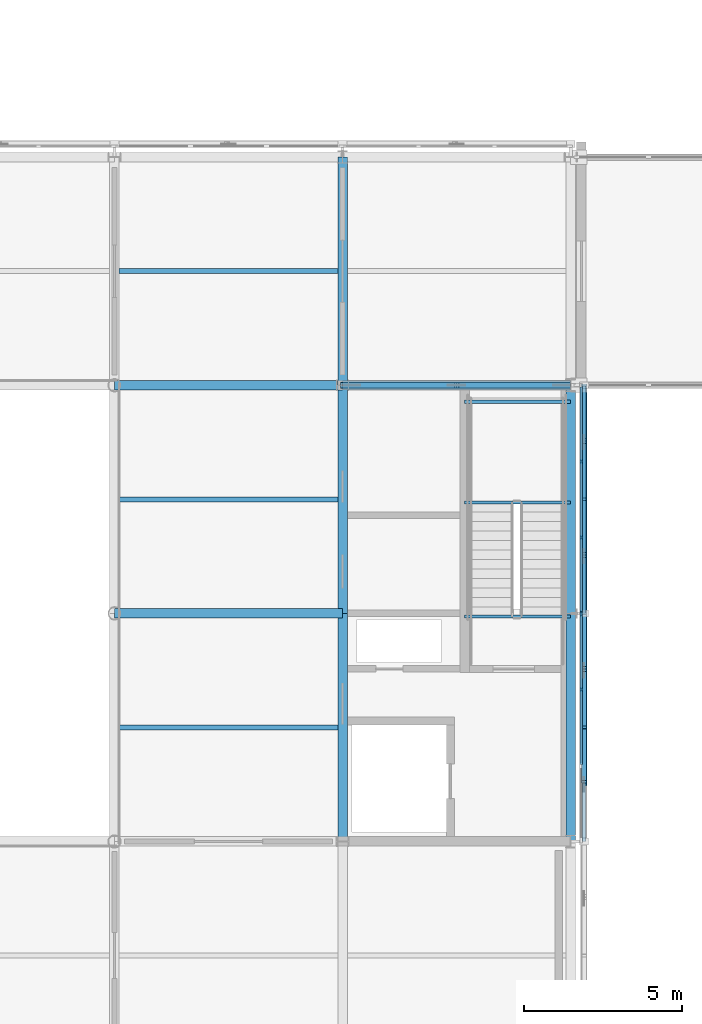
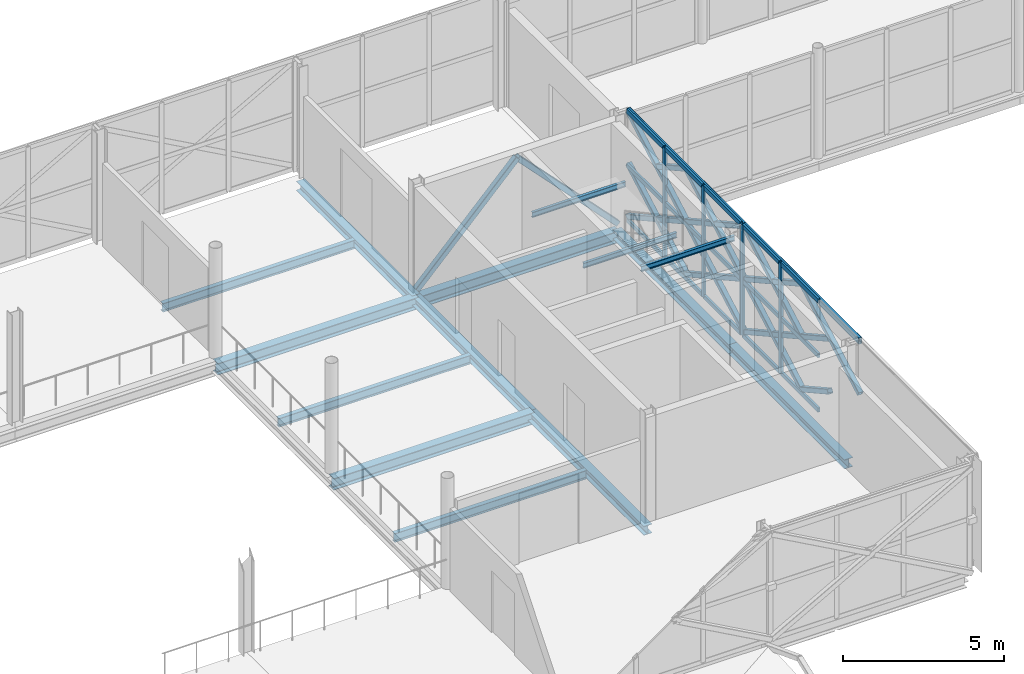
# One storey, part 42 of 146: 44 members, 14 beams, 2 elements without a shape of their own.
"""IFC4 building model written with IfcOpenShell, lengths in metres."""

import ifcopenshell
import ifcopenshell.guid

model = None  # the IFC model being written
_history = None  # IfcOwnerHistory: only IFC2X3 demands one
_inside = {}  # id of a spatial element -> (the spatial element, [elements in it])
_under = {}  # id of a project, library or spatial element -> (it, [spatial elements below it])
_declared = {}  # id of a project -> (the project, [libraries it declares])
_typed = {}  # id of a type object -> (the type object, [elements of that type])
_made_of = {}  # id of a material, layer set ... -> (it, [elements and type objects made of it])


def new_model(schema):
    """Start an empty IFC model of exactly this schema.

    Asked for "IFC4X3", IfcOpenShell would pick the latest addendum, in which some entities
    have other attributes; the version numbers below select the first issue.
    IFC2X3 requires an IfcOwnerHistory on every rooted entity: one is made here for all.
    """
    global model, _history
    if schema == "IFC4X3":
        model = ifcopenshell.file(schema_version=(4, 3, 0, 0))
    else:
        model = ifcopenshell.file(schema=schema)
    _inside.clear()
    _under.clear()
    _declared.clear()
    _typed.clear()
    _made_of.clear()
    _history = None
    if model.schema == "IFC2X3":
        org = make("IfcOrganization", Name="unknown")
        user = make(
            "IfcPersonAndOrganization",
            ThePerson=make("IfcPerson", FamilyName="unknown"),
            TheOrganization=org,
        )
        app = make(
            "IfcApplication",
            ApplicationDeveloper=org,
            Version="unknown",
            ApplicationFullName="unknown",
            ApplicationIdentifier="unknown",
        )
        _history = make(
            "IfcOwnerHistory",
            OwningUser=user,
            OwningApplication=app,
            ChangeAction="ADDED",
            CreationDate=0,
        )
    return model


def make(cls, **values):
    """One entity of the class cls with the attributes given. An attribute that is None is left unset."""
    return model.create_entity(
        cls, **{name: value for name, value in values.items() if value is not None}
    )


def rooted(cls, **values):
    """An entity with a GlobalId (a new one), such as an element, a storey or a relation."""
    return make(cls, GlobalId=ifcopenshell.guid.new(), OwnerHistory=_history, **values)


def si_unit(unit_type, name, prefix=None):
    """IfcSIUnit, for example si_unit("LENGTHUNIT", "METRE", prefix="MILLI")."""
    return make("IfcSIUnit", UnitType=unit_type, Prefix=prefix, Name=name)


def assignment(units):
    """IfcUnitAssignment: the units of a project."""
    return None if units is None else make("IfcUnitAssignment", Units=units)


def point(xyz):
    """IfcCartesianPoint."""
    return None if xyz is None else make("IfcCartesianPoint", Coordinates=xyz)


def direction(xyz):
    """IfcDirection."""
    return None if xyz is None else make("IfcDirection", DirectionRatios=xyz)


def frame(location, z_axis=None, x_axis=None):
    """IfcAxis2Placement3D, a coordinate frame: its origin and axes. An axis left out is left unset."""
    return make(
        "IfcAxis2Placement3D",
        Location=point(location),
        Axis=direction(z_axis),
        RefDirection=direction(x_axis),
    )


def frame_2d(location, x_axis=None):
    """IfcAxis2Placement2D, a coordinate frame in the plane: its origin and x axis."""
    return make(
        "IfcAxis2Placement2D", Location=point(location), RefDirection=direction(x_axis)
    )


def origin():
    """The frame at (0, 0, 0) with its axes left unset."""
    return frame((0.0, 0.0, 0.0))


def origin_2d():
    """The frame at (0, 0) in the plane with its x axis left unset."""
    return frame_2d((0.0, 0.0))


def place(relative_to, where):
    """IfcLocalPlacement: puts the frame where relative to a parent placement (None: the world)."""
    return make(
        "IfcLocalPlacement", PlacementRelTo=relative_to, RelativePlacement=where
    )


def context(
    kind, dimensions, precision=None, world=None, true_north=None, identifier=None
):
    """IfcGeometricRepresentationContext, for example the 3D "Model" context."""
    return make(
        "IfcGeometricRepresentationContext",
        ContextIdentifier=identifier,
        ContextType=kind,
        CoordinateSpaceDimension=dimensions,
        Precision=precision,
        WorldCoordinateSystem=world,
        TrueNorth=true_north,
    )


def subcontext(parent, identifier, kind, view, scale=None):
    """IfcGeometricRepresentationSubContext, for example "Body" below "Model"."""
    return make(
        "IfcGeometricRepresentationSubContext",
        ContextIdentifier=identifier,
        ContextType=kind,
        ParentContext=parent,
        TargetScale=scale,
        TargetView=view,
    )


def project(units=None, contexts=None):
    """IfcProject with its units and contexts."""
    return rooted(
        "IfcProject",
        Name="project",
        RepresentationContexts=contexts,
        UnitsInContext=assignment(units),
    )


def spatial(cls, under=None, at=None, **own):
    """A site, building, storey or space (cls), placed at a placement, below another one or the project."""
    s = rooted(cls, ObjectPlacement=at, **own)
    if under is not None:
        _under.setdefault(under.id(), (under, []))[1].append(s)
    return s


def profile(cls, at=None, kind="AREA", **sizes):
    """A parametric profile (cls). Its sizes go by their IFC names, for example OverallWidth=200.0."""
    return make(cls, ProfileType=kind, Position=at, **sizes)


def rectangle(**sizes):
    """IfcRectangleProfileDef."""
    return profile("IfcRectangleProfileDef", **sizes)


def hollow_rectangle(**sizes):
    """IfcRectangleHollowProfileDef."""
    return profile("IfcRectangleHollowProfileDef", **sizes)


def i_section(**sizes):
    """IfcIShapeProfileDef."""
    return profile("IfcIShapeProfileDef", **sizes)


def extrude(swept, where, along, depth):
    """IfcExtrudedAreaSolid: the profile swept, set in the frame where, extruded along a direction by depth."""
    return make(
        "IfcExtrudedAreaSolid",
        SweptArea=swept,
        Position=where,
        ExtrudedDirection=direction(along),
        Depth=depth,
    )


def shape(context_of_items, identifier, shape_type, items):
    """IfcShapeRepresentation: the items that make up one representation, for example the "Body"."""
    return make(
        "IfcShapeRepresentation",
        ContextOfItems=context_of_items,
        RepresentationIdentifier=identifier,
        RepresentationType=shape_type,
        Items=items,
    )


def material(Name=None, Category=None):
    """IfcMaterial."""
    return make("IfcMaterial", Name=Name, Category=Category)


def material_profile(
    of_material, cross_section, Name=None, Category=None, Priority=None
):
    """IfcMaterialProfile: a cross section and its material."""
    return make(
        "IfcMaterialProfile",
        Name=Name,
        Material=of_material,
        Profile=cross_section,
        Priority=Priority,
        Category=Category,
    )


def profile_set(profiles, Name=None, composite=None):
    """IfcMaterialProfileSet."""
    return make(
        "IfcMaterialProfileSet",
        Name=Name,
        MaterialProfiles=profiles,
        CompositeProfile=composite,
    )


def made_of(thing, what):
    """Note that an element or type object is made of a material, layer set ...; save() writes the relation."""
    if what is not None:
        _made_of.setdefault(what.id(), (what, []))[1].append(thing)
    return thing


def type_object(cls, material=None, **own):
    """A type object (cls), such as IfcWallType, which elements share."""
    return made_of(rooted(cls, **own), material)


def element(
    cls,
    number,
    at=None,
    inside=None,
    cuts=None,
    type_object=None,
    material=None,
    context=None,
    identifier="Body",
    shape_type=None,
    held_by="IfcProductDefinitionShape",
    body=None,
    shapes=None,
    **own,
):
    """One element of the class cls, such as IfcWall. Its Tag is "e" and its number.

    at: its placement. inside: the storey or other place that contains it. cuts: it is an
    opening in that element (IfcRelVoidsElement). A single representation is given by context,
    identifier, shape_type and body (its items); several are given by shapes. held_by: the class
    of the entity that holds the representations. save() writes the other relations.
    """
    e = rooted(cls, Tag="e%d" % number, ObjectPlacement=at, **own)
    if body is not None:
        shapes = [shape(context, identifier, shape_type, body)]
    if shapes is not None:
        e.Representation = make(held_by, Representations=shapes)
    if inside is not None:
        _inside.setdefault(inside.id(), (inside, []))[1].append(e)
    if cuts is not None:
        rooted(
            "IfcRelVoidsElement", RelatingBuildingElement=cuts, RelatedOpeningElement=e
        )
    if type_object is not None:
        _typed.setdefault(type_object.id(), (type_object, []))[1].append(e)
    return made_of(e, material)


def aggregate(whole, parts):
    """IfcRelAggregates: a whole, such as a stair, and the parts it consists of."""
    return rooted("IfcRelAggregates", RelatingObject=whole, RelatedObjects=parts)


def save(model, path):
    """Write the relations noted so far, then the file.

    IfcRelAggregates (storeys below a building ...), IfcRelContainedInSpatialStructure (elements
    in a storey), IfcRelDefinesByType, IfcRelAssociatesMaterial and IfcRelDeclares: one each for
    every whole, place, type object, material and project.
    """
    for whole, parts in _under.values():
        aggregate(whole, parts)
    for where, things in _inside.values():
        rooted(
            "IfcRelContainedInSpatialStructure",
            RelatedElements=things,
            RelatingStructure=where,
        )
    for kind, things in _typed.values():
        rooted("IfcRelDefinesByType", RelatedObjects=things, RelatingType=kind)
    for what, things in _made_of.values():
        rooted("IfcRelAssociatesMaterial", RelatedObjects=things, RelatingMaterial=what)
    for by, libraries in _declared.values():
        rooted("IfcRelDeclares", RelatingContext=by, RelatedDefinitions=libraries)
    model.write(path)


model = new_model("IFC4")

# Units and contexts
model_context = context("Model", 3, precision=1e-05, world=origin(), true_north=direction((0.0, 1.0)))
body_context = subcontext(model_context, "Body", "Model", "MODEL_VIEW")
ifc_project = project(units=[si_unit("LENGTHUNIT", "METRE"), si_unit("AREAUNIT", "SQUARE_METRE"), si_unit("VOLUMEUNIT", "CUBIC_METRE"), si_unit("PLANEANGLEUNIT", "RADIAN"), si_unit("MASSUNIT", "GRAM", prefix="KILO")], contexts=[model_context])

# Site, building, storey
site_placement = place(None, origin())
site = spatial("IfcSite", under=ifc_project, at=site_placement, CompositionType="ELEMENT")
building_placement = place(site_placement, origin())
building = spatial("IfcBuilding", under=site, at=building_placement, Name="Zlatovets Crest Museum", CompositionType="ELEMENT")
storey_placement = place(building_placement, frame((0.0, 0.0, 4.5)))
storey = spatial("IfcBuildingStorey", under=building, at=storey_placement, Name="L01", CompositionType="ELEMENT", Elevation=4.5)

# Beams
ifc_material_1 = material(Name="Structural steel S355J2", Category="steel")
ifc_material_profile_1 = material_profile(ifc_material_1, i_section(OverallWidth=0.300048828125, OverallDepth=0.35009765625, WebThickness=0.010009765625, FlangeThickness=0.017578125, FilletRadius=0.027099609375, at=origin_2d()), Name="HEA 360")
ifc_profile_set_1 = profile_set([ifc_material_profile_1], Name="Structural steel S355J2")
beam_type_1 = type_object("IfcBeamType", Name="Beam_B-03", PredefinedType="BEAM", material=ifc_profile_set_1)
beam_1_placement = place(storey_placement, frame((100.800048828125, 7.199951171875, -0.39501953125), z_axis=(0.0, 1.0, 0.0), x_axis=(-1.0, 0.0, 0.0)))
element("IfcBeam", 1, at=beam_1_placement, inside=storey, type_object=beam_type_1, Name="V2 L01 Grid Beam B-03", PredefinedType="BEAM", context=body_context, shape_type="SweptSolid", body=[
    extrude(i_section(OverallWidth=0.300048828125, OverallDepth=0.35009765625, WebThickness=0.010009765625, FlangeThickness=0.017578125, FilletRadius=0.027099609375, at=origin_2d()), origin(), (0.0, 0.0, 1.0), 7.199951171875),
])
beam_2_placement = place(storey_placement, frame((100.800048828125, 14.39990234375, -0.39501953125), z_axis=(0.0, 1.0, 0.0), x_axis=(-1.0, 0.0, 0.0)))
element("IfcBeam", 2, at=beam_2_placement, inside=storey, type_object=beam_type_1, Name="V2 L01 Grid Beam B-03", PredefinedType="BEAM", context=body_context, shape_type="SweptSolid", body=[
    extrude(i_section(OverallWidth=0.300048828125, OverallDepth=0.35009765625, WebThickness=0.010009765625, FlangeThickness=0.017578125, FilletRadius=0.027099609375, at=origin_2d()), origin(), (0.0, 0.0, 1.0), 7.2001953125),
])
for number, where, z_axis, x_axis, name in (
    (3, (100.800048828125, 21.60009765625, -0.39501953125), (0.0, 1.0, 0.0), (-1.0, 0.0, 0.0), "V2 L01 Grid Beam B-03"),
    (4, (108.0, 7.199951171875, -0.39501953125), (0.0, 1.0, 0.0), (-1.0, 0.0, 0.0), "V2 L01 Grid Beam B-03"),
):
    element("IfcBeam", number, at=place(storey_placement, frame(where, z_axis=z_axis, x_axis=x_axis)), inside=storey, type_object=beam_type_1, Name=name, PredefinedType="BEAM", context=body_context, shape_type="SweptSolid", body=[
        extrude(i_section(OverallWidth=0.300048828125, OverallDepth=0.35009765625, WebThickness=0.010009765625, FlangeThickness=0.017578125, FilletRadius=0.027099609375, at=origin_2d()), origin(), (0.0, 0.0, 1.0), 7.199951171875),
    ])
beam_3_placement = place(storey_placement, frame((108.0, 14.39990234375, -0.39501953125), z_axis=(0.0, 1.0, 0.0), x_axis=(-1.0, 0.0, 0.0)))
element("IfcBeam", 5, at=beam_3_placement, inside=storey, type_object=beam_type_1, Name="V2 L01 Grid Beam B-03", PredefinedType="BEAM", context=body_context, shape_type="SweptSolid", body=[
    extrude(i_section(OverallWidth=0.300048828125, OverallDepth=0.35009765625, WebThickness=0.010009765625, FlangeThickness=0.017578125, FilletRadius=0.027099609375, at=origin_2d()), origin(), (0.0, 0.0, 1.0), 7.2001953125),
])
ifc_material_profile_2 = material_profile(ifc_material_1, i_section(OverallWidth=0.300048828125, OverallDepth=0.43994140625, WebThickness=0.011474609375, FlangeThickness=0.02099609375, FilletRadius=0.027099609375, at=origin_2d()), Name="HEA 450")
ifc_profile_set_2 = profile_set([ifc_material_profile_2], Name="Structural steel S355J2")
beam_type_2 = type_object("IfcBeamType", Name="Beam_B-10", PredefinedType="BEAM", material=ifc_profile_set_2)
for number, where, z_axis, x_axis, name in (
    (6, (93.60009765625, 14.39990234375, -0.43994140625), (1.0, 0.0, 0.0), (0.0, 1.0, 0.0), "V2 L01 Primary Girder B-10"),
    (7, (93.60009765625, 21.60009765625, -0.43994140625), (1.0, 0.0, 0.0), (0.0, 1.0, 0.0), "V2 L01 Primary Girder B-10"),
    (8, (100.800048828125, 21.60009765625, -0.43994140625), (1.0, 0.0, 0.0), (0.0, 1.0, 0.0), "V2 L01 Primary Girder B-10"),
):
    element("IfcBeam", number, at=place(storey_placement, frame(where, z_axis=z_axis, x_axis=x_axis)), inside=storey, type_object=beam_type_2, Name=name, PredefinedType="BEAM", context=body_context, shape_type="SweptSolid", body=[
        extrude(i_section(OverallWidth=0.300048828125, OverallDepth=0.43994140625, WebThickness=0.011474609375, FlangeThickness=0.02099609375, FilletRadius=0.027099609375, at=origin_2d()), origin(), (0.0, 0.0, 1.0), 7.199951171875),
    ])
ifc_material_profile_3 = material_profile(ifc_material_1, i_section(OverallWidth=0.159912109375, OverallDepth=0.330078125, WebThickness=0.007568359375, FlangeThickness=0.011474609375, FilletRadius=0.01806640625, at=origin_2d()), Name="IPE 330")
ifc_profile_set_3 = profile_set([ifc_material_profile_3], Name="Structural steel S355J2")
beam_type_3 = type_object("IfcBeamType", Name="Beam_J-09", PredefinedType="JOIST", material=ifc_profile_set_3)
for number, where, z_axis, x_axis, name in (
    (9, (93.75, 10.800048828125, -0.385009765625), (1.0, 0.0, 0.0), (0.0, 1.0, 0.0), "V2 L01 Composite Joist J-09"),
    (10, (93.75, 18.0, -0.385009765625), (1.0, 0.0, 0.0), (0.0, 1.0, 0.0), "V2 L01 Composite Joist J-09"),
    (11, (93.75, 25.199951171875, -0.385009765625), (1.0, 0.0, 0.0), (0.0, 1.0, 0.0), "V2 L01 Composite Joist J-09"),
):
    element("IfcBeam", number, at=place(storey_placement, frame(where, z_axis=z_axis, x_axis=x_axis)), inside=storey, type_object=beam_type_3, Name=name, PredefinedType="JOIST", context=body_context, shape_type="SweptSolid", body=[
        extrude(i_section(OverallWidth=0.159912109375, OverallDepth=0.330078125, WebThickness=0.007568359375, FlangeThickness=0.011474609375, FilletRadius=0.01806640625, at=origin_2d()), origin(), (0.0, 0.0, 1.0), 6.89990234375),
    ])
ifc_material_profile_4 = material_profile(ifc_material_1, i_section(OverallWidth=0.10009765625, OverallDepth=0.199951171875, WebThickness=0.005615234375, FlangeThickness=0.008544921875, FilletRadius=0.011962890625, at=origin_2d()), Name="IPE 200")
ifc_profile_set_4 = profile_set([ifc_material_profile_4], Name="Structural steel S355J2")
beam_type_4 = type_object("IfcBeamType", Name="Beam_PR-02", PredefinedType="LINTEL", material=ifc_profile_set_4)
for number, where, z_axis, x_axis, name in (
    (12, (104.64990234375, 14.300048828125, 3.860107421875), (1.0, 0.0, 0.0), (0.0, 1.0, 0.0), "Core C8 L01 Stair Well Header Beam"),
    (13, (104.64990234375, 17.89990234375, 1.800048828125), (1.0, 0.0, 0.0), (0.0, 1.0, 0.0), "Core C8 L01 Half-Landing Support Beam"),
    (14, (104.64990234375, 21.080078125, 1.800048828125), (1.0, 0.0, 0.0), (0.0, 1.0, 0.0), "Core C8 L01 Half-Landing Support Beam"),
):
    element("IfcBeam", number, at=place(storey_placement, frame(where, z_axis=z_axis, x_axis=x_axis)), inside=storey, type_object=beam_type_4, Name=name, PredefinedType="LINTEL", context=body_context, shape_type="SweptSolid", body=[
        extrude(i_section(OverallWidth=0.10009765625, OverallDepth=0.199951171875, WebThickness=0.005615234375, FlangeThickness=0.008544921875, FilletRadius=0.011962890625, at=origin_2d()), origin(), (0.0, 0.0, 1.0), 3.35009765625),
    ])

# Curtain wall, members
ifc_material_2 = material(Name="Bronze-anodised aluminium and low-E triple glass", Category="aluminium")
curtain_wall_type_1 = type_object("IfcCurtainWallType", Name="CW_CW-V2-L01-M0", PredefinedType="NOTDEFINED", material=ifc_material_2)
curtain_wall_1_placement = place(storey_placement, origin())
curtain_wall_1 = element("IfcCurtainWall", 15, at=curtain_wall_1_placement, inside=storey, type_object=curtain_wall_type_1, Name="V2 L01 Expressed Core Glazed Facade", PredefinedType="NOTDEFINED")
ifc_material_3 = material(Name="Bronze-anodised aluminium EN AW-6060", Category="aluminium")
ifc_material_profile_5 = material_profile(ifc_material_3, rectangle(XDim=0.080078125, YDim=0.159912109375, at=origin_2d()), Name="ALU 80x160")
ifc_profile_set_5 = profile_set([ifc_material_profile_5], Name="Bronze-anodised aluminium EN AW-6060")
member_type_1 = type_object("IfcMemberType", Name="CWMull_M1", PredefinedType="MULLION", material=ifc_profile_set_5)
member_1_placement = place(storey_placement, frame((108.340087890625, 12.0, 0.0), z_axis=(0.0, 0.0, 1.0), x_axis=(-1.0, 0.0, 0.0)))
member_1 = element("IfcMember", 16, at=member_1_placement, type_object=member_type_1, Name="CW-V2-L01-M0 mullion 3", PredefinedType="MULLION", context=body_context, shape_type="SweptSolid", body=[
    extrude(rectangle(XDim=0.080078125, YDim=0.159912109375, at=origin_2d()), origin(), (0.0, 0.0, 1.0), 4.199951171875),
])
member_2_placement = place(storey_placement, frame((108.340087890625, 14.3701171875, 0.0), z_axis=(0.0, 0.0, 1.0), x_axis=(-1.0, 0.0, 0.0)))
member_2 = element("IfcMember", 17, at=member_2_placement, type_object=member_type_1, Name="CW-V2-L01-M0 mullion 4", PredefinedType="MULLION", context=body_context, shape_type="SweptSolid", body=[
    extrude(rectangle(XDim=0.080078125, YDim=0.159912109375, at=origin_2d()), origin(), (0.0, 0.0, 1.0), 4.199951171875),
])

curtain_wall_type_2 = type_object("IfcCurtainWallType", Name="CW_CW-V2-L01-M1", PredefinedType="NOTDEFINED", material=ifc_material_2)
curtain_wall_2_placement = place(storey_placement, origin())
curtain_wall_2 = element("IfcCurtainWall", 18, at=curtain_wall_2_placement, inside=storey, type_object=curtain_wall_type_2, Name="V2 L01 Expressed Core Glazed Facade", PredefinedType="NOTDEFINED")
member_3_placement = place(storey_placement, frame((108.340087890625, 14.429931640625, 0.0), z_axis=(0.0, 0.0, 1.0), x_axis=(-1.0, 0.0, 0.0)))
member_3 = element("IfcMember", 19, at=member_3_placement, type_object=member_type_1, Name="CW-V2-L01-M1 mullion 1", PredefinedType="MULLION", context=body_context, shape_type="SweptSolid", body=[
    extrude(rectangle(XDim=0.080078125, YDim=0.159912109375, at=origin_2d()), origin(), (0.0, 0.0, 1.0), 4.199951171875),
])
member_4_placement = place(storey_placement, frame((108.340087890625, 16.800048828125, 0.0), z_axis=(0.0, 0.0, 1.0), x_axis=(-1.0, 0.0, 0.0)))
member_4 = element("IfcMember", 20, at=member_4_placement, type_object=member_type_1, Name="CW-V2-L01-M1 mullion 2", PredefinedType="MULLION", context=body_context, shape_type="SweptSolid", body=[
    extrude(rectangle(XDim=0.080078125, YDim=0.159912109375, at=origin_2d()), origin(), (0.0, 0.0, 1.0), 4.199951171875),
])
member_5_placement = place(storey_placement, frame((108.340087890625, 19.199951171875, 0.0), z_axis=(0.0, 0.0, 1.0), x_axis=(-1.0, 0.0, 0.0)))
member_5 = element("IfcMember", 21, at=member_5_placement, type_object=member_type_1, Name="CW-V2-L01-M1 mullion 3", PredefinedType="MULLION", context=body_context, shape_type="SweptSolid", body=[
    extrude(rectangle(XDim=0.080078125, YDim=0.159912109375, at=origin_2d()), origin(), (0.0, 0.0, 1.0), 4.199951171875),
])

# Member
ifc_material_profile_6 = material_profile(ifc_material_3, rectangle(XDim=0.080078125, YDim=0.159912109375, at=origin_2d()), Name="ALU 80x160")
ifc_profile_set_6 = profile_set([ifc_material_profile_6], Name="Bronze-anodised aluminium EN AW-6060")
member_type_2 = type_object("IfcMemberType", Name="CWTrans_T1", PredefinedType="USERDEFINED", material=ifc_profile_set_6)
member_6_placement = place(storey_placement, frame((108.340087890625, 9.6298828125, 0.030029296875), z_axis=(0.0, 1.0, 0.0), x_axis=(-1.0, 0.0, 0.0)))
member_6 = element("IfcMember", 22, at=member_6_placement, type_object=member_type_2, Name="CW-V2-L01-M0 transom 2.1", ObjectType="TRANSOM", PredefinedType="USERDEFINED", context=body_context, shape_type="SweptSolid", body=[
    extrude(rectangle(XDim=0.080078125, YDim=0.159912109375, at=origin_2d()), origin(), (0.0, 0.0, 1.0), 2.340087890625),
])

member_7_placement = place(storey_placement, frame((108.340087890625, 9.6298828125, 2.10009765625), z_axis=(0.0, 1.0, 0.0), x_axis=(-1.0, 0.0, 0.0)))
member_7 = element("IfcMember", 23, at=member_7_placement, type_object=member_type_2, Name="CW-V2-L01-M0 transom 2.2", ObjectType="TRANSOM", PredefinedType="USERDEFINED", context=body_context, shape_type="SweptSolid", body=[
    extrude(rectangle(XDim=0.080078125, YDim=0.159912109375, at=origin_2d()), origin(), (0.0, 0.0, 1.0), 2.340087890625),
])

member_8_placement = place(storey_placement, frame((108.340087890625, 9.6298828125, 4.169921875), z_axis=(0.0, 1.0, 0.0), x_axis=(-1.0, 0.0, 0.0)))
member_8 = element("IfcMember", 24, at=member_8_placement, type_object=member_type_2, Name="CW-V2-L01-M0 transom 2.3", ObjectType="TRANSOM", PredefinedType="USERDEFINED", context=body_context, shape_type="SweptSolid", body=[
    extrude(rectangle(XDim=0.080078125, YDim=0.159912109375, at=origin_2d()), origin(), (0.0, 0.0, 1.0), 2.340087890625),
])

member_9_placement = place(storey_placement, frame((108.340087890625, 12.030029296875, 0.030029296875), z_axis=(0.0, 1.0, 0.0), x_axis=(-1.0, 0.0, 0.0)))
member_9 = element("IfcMember", 25, at=member_9_placement, type_object=member_type_2, Name="CW-V2-L01-M0 transom 3.1", ObjectType="TRANSOM", PredefinedType="USERDEFINED", context=body_context, shape_type="SweptSolid", body=[
    extrude(rectangle(XDim=0.080078125, YDim=0.159912109375, at=origin_2d()), origin(), (0.0, 0.0, 1.0), 2.31005859375),
])

member_10_placement = place(storey_placement, frame((108.340087890625, 12.030029296875, 2.10009765625), z_axis=(0.0, 1.0, 0.0), x_axis=(-1.0, 0.0, 0.0)))
member_10 = element("IfcMember", 26, at=member_10_placement, type_object=member_type_2, Name="CW-V2-L01-M0 transom 3.2", ObjectType="TRANSOM", PredefinedType="USERDEFINED", context=body_context, shape_type="SweptSolid", body=[
    extrude(rectangle(XDim=0.080078125, YDim=0.159912109375, at=origin_2d()), origin(), (0.0, 0.0, 1.0), 2.31005859375),
])

member_11_placement = place(storey_placement, frame((108.340087890625, 12.030029296875, 4.169921875), z_axis=(0.0, 1.0, 0.0), x_axis=(-1.0, 0.0, 0.0)))
member_11 = element("IfcMember", 27, at=member_11_placement, type_object=member_type_2, Name="CW-V2-L01-M0 transom 3.3", ObjectType="TRANSOM", PredefinedType="USERDEFINED", context=body_context, shape_type="SweptSolid", body=[
    extrude(rectangle(XDim=0.080078125, YDim=0.159912109375, at=origin_2d()), origin(), (0.0, 0.0, 1.0), 2.31005859375),
])

aggregate(curtain_wall_1, [member_1, member_2, member_6, member_7, member_8, member_9, member_10, member_11])

member_12_placement = place(storey_placement, frame((108.340087890625, 14.4599609375, 0.030029296875), z_axis=(0.0, 1.0, 0.0), x_axis=(-1.0, 0.0, 0.0)))
member_12 = element("IfcMember", 28, at=member_12_placement, type_object=member_type_2, Name="CW-V2-L01-M1 transom 1.1", ObjectType="TRANSOM", PredefinedType="USERDEFINED", context=body_context, shape_type="SweptSolid", body=[
    extrude(rectangle(XDim=0.080078125, YDim=0.159912109375, at=origin_2d()), origin(), (0.0, 0.0, 1.0), 2.31005859375),
])

member_13_placement = place(storey_placement, frame((108.340087890625, 14.4599609375, 2.10009765625), z_axis=(0.0, 1.0, 0.0), x_axis=(-1.0, 0.0, 0.0)))
member_13 = element("IfcMember", 29, at=member_13_placement, type_object=member_type_2, Name="CW-V2-L01-M1 transom 1.2", ObjectType="TRANSOM", PredefinedType="USERDEFINED", context=body_context, shape_type="SweptSolid", body=[
    extrude(rectangle(XDim=0.080078125, YDim=0.159912109375, at=origin_2d()), origin(), (0.0, 0.0, 1.0), 2.31005859375),
])

member_14_placement = place(storey_placement, frame((108.340087890625, 14.4599609375, 4.169921875), z_axis=(0.0, 1.0, 0.0), x_axis=(-1.0, 0.0, 0.0)))
member_14 = element("IfcMember", 30, at=member_14_placement, type_object=member_type_2, Name="CW-V2-L01-M1 transom 1.3", ObjectType="TRANSOM", PredefinedType="USERDEFINED", context=body_context, shape_type="SweptSolid", body=[
    extrude(rectangle(XDim=0.080078125, YDim=0.159912109375, at=origin_2d()), origin(), (0.0, 0.0, 1.0), 2.31005859375),
])

member_15_placement = place(storey_placement, frame((108.340087890625, 16.830078125, 0.030029296875), z_axis=(0.0, 1.0, 0.0), x_axis=(-1.0, 0.0, 0.0)))
member_15 = element("IfcMember", 31, at=member_15_placement, type_object=member_type_2, Name="CW-V2-L01-M1 transom 2.1", ObjectType="TRANSOM", PredefinedType="USERDEFINED", context=body_context, shape_type="SweptSolid", body=[
    extrude(rectangle(XDim=0.080078125, YDim=0.159912109375, at=origin_2d()), origin(), (0.0, 0.0, 1.0), 2.33984375),
])

member_16_placement = place(storey_placement, frame((108.340087890625, 16.830078125, 2.10009765625), z_axis=(0.0, 1.0, 0.0), x_axis=(-1.0, 0.0, 0.0)))
member_16 = element("IfcMember", 32, at=member_16_placement, type_object=member_type_2, Name="CW-V2-L01-M1 transom 2.2", ObjectType="TRANSOM", PredefinedType="USERDEFINED", context=body_context, shape_type="SweptSolid", body=[
    extrude(rectangle(XDim=0.080078125, YDim=0.159912109375, at=origin_2d()), origin(), (0.0, 0.0, 1.0), 2.33984375),
])

member_17_placement = place(storey_placement, frame((108.340087890625, 16.830078125, 4.169921875), z_axis=(0.0, 1.0, 0.0), x_axis=(-1.0, 0.0, 0.0)))
member_17 = element("IfcMember", 33, at=member_17_placement, type_object=member_type_2, Name="CW-V2-L01-M1 transom 2.3", ObjectType="TRANSOM", PredefinedType="USERDEFINED", context=body_context, shape_type="SweptSolid", body=[
    extrude(rectangle(XDim=0.080078125, YDim=0.159912109375, at=origin_2d()), origin(), (0.0, 0.0, 1.0), 2.33984375),
])

member_18_placement = place(storey_placement, frame((108.340087890625, 19.22998046875, 0.030029296875), z_axis=(0.0, 1.0, 0.0), x_axis=(-1.0, 0.0, 0.0)))
member_18 = element("IfcMember", 34, at=member_18_placement, type_object=member_type_2, Name="CW-V2-L01-M1 transom 3.1", ObjectType="TRANSOM", PredefinedType="USERDEFINED", context=body_context, shape_type="SweptSolid", body=[
    extrude(rectangle(XDim=0.080078125, YDim=0.159912109375, at=origin_2d()), origin(), (0.0, 0.0, 1.0), 2.31005859375),
])

member_19_placement = place(storey_placement, frame((108.340087890625, 19.22998046875, 2.10009765625), z_axis=(0.0, 1.0, 0.0), x_axis=(-1.0, 0.0, 0.0)))
member_19 = element("IfcMember", 35, at=member_19_placement, type_object=member_type_2, Name="CW-V2-L01-M1 transom 3.2", ObjectType="TRANSOM", PredefinedType="USERDEFINED", context=body_context, shape_type="SweptSolid", body=[
    extrude(rectangle(XDim=0.080078125, YDim=0.159912109375, at=origin_2d()), origin(), (0.0, 0.0, 1.0), 2.31005859375),
])

member_20_placement = place(storey_placement, frame((108.340087890625, 19.22998046875, 4.169921875), z_axis=(0.0, 1.0, 0.0), x_axis=(-1.0, 0.0, 0.0)))
member_20 = element("IfcMember", 36, at=member_20_placement, type_object=member_type_2, Name="CW-V2-L01-M1 transom 3.3", ObjectType="TRANSOM", PredefinedType="USERDEFINED", context=body_context, shape_type="SweptSolid", body=[
    extrude(rectangle(XDim=0.080078125, YDim=0.159912109375, at=origin_2d()), origin(), (0.0, 0.0, 1.0), 2.31005859375),
])

aggregate(curtain_wall_2, [member_3, member_4, member_5, member_12, member_13, member_14, member_15, member_16, member_17, member_18, member_19, member_20])

# Members
ifc_material_4 = material(Name="Weathering bronze-steel S355J2W", Category="steel")
ifc_material_profile_7 = material_profile(ifc_material_4, hollow_rectangle(XDim=0.179931640625, YDim=0.179931640625, WallThickness=0.010009765625, InnerFilletRadius=0.010009765625, OuterFilletRadius=0.02001953125, at=origin_2d()), Name="SHS 180x180x10.0")
ifc_profile_set_7 = profile_set([ifc_material_profile_7], Name="Weathering bronze-steel S355J2W")
member_type_3 = type_object("IfcMemberType", Name="Lattice_XL-01", PredefinedType="BRACE", material=ifc_profile_set_7)
member_21_placement = place(storey_placement, frame((108.419921875, 9.0830078125, 1.053955078125), z_axis=(0.0, 0.874169001841, -0.485621824284), x_axis=(-1.0, 0.0, 0.0)))
element("IfcMember", 37, at=member_21_placement, inside=storey, type_object=member_type_3, Name="Split Crossing Bronze Lattice Diagonal Lower", PredefinedType="BRACE", context=body_context, shape_type="SweptSolid", body=[
    extrude(hollow_rectangle(XDim=0.179931640625, YDim=0.179931640625, WallThickness=0.010009765625, InnerFilletRadius=0.010009765625, OuterFilletRadius=0.02001953125, at=origin_2d()), origin(), (0.0, 0.0, 1.0), 1.964111328125),
])
member_22_placement = place(storey_placement, frame((108.419921875, 10.800048828125, 0.10009765625), z_axis=(0.0, 0.874148886685, 0.485658031857), x_axis=(-1.0, 0.0, 0.0)))
element("IfcMember", 38, at=member_22_placement, inside=storey, type_object=member_type_3, Name="Continuous Bronze Lattice Diagonal", PredefinedType="BRACE", context=body_context, shape_type="SweptSolid", body=[
    extrude(hollow_rectangle(XDim=0.179931640625, YDim=0.179931640625, WallThickness=0.010009765625, InnerFilletRadius=0.010009765625, OuterFilletRadius=0.02001953125, at=origin_2d()), origin(), (0.0, 0.0, 1.0), 4.1181640625),
])
member_23_placement = place(storey_placement, frame((108.419921875, 10.800048828125, 2.10009765625), z_axis=(0.0, 0.874116234569, -0.48571679862), x_axis=(-1.0, 0.0, 0.0)))
element("IfcMember", 39, at=member_23_placement, inside=storey, type_object=member_type_3, Name="Split Crossing Bronze Lattice Diagonal Upper", PredefinedType="BRACE", context=body_context, shape_type="SweptSolid", body=[
    extrude(hollow_rectangle(XDim=0.179931640625, YDim=0.179931640625, WallThickness=0.010009765625, InnerFilletRadius=0.010009765625, OuterFilletRadius=0.02001953125, at=origin_2d()), origin(), (0.0, 0.0, 1.0), 1.96435546875),
])
member_24_placement = place(storey_placement, frame((108.419921875, 12.68310546875, 1.053955078125), z_axis=(0.0, 0.874139684676, -0.48567459443), x_axis=(-1.0, 0.0, 0.0)))
element("IfcMember", 40, at=member_24_placement, inside=storey, type_object=member_type_3, Name="Split Crossing Bronze Lattice Diagonal Lower", PredefinedType="BRACE", context=body_context, shape_type="SweptSolid", body=[
    extrude(hollow_rectangle(XDim=0.179931640625, YDim=0.179931640625, WallThickness=0.010009765625, InnerFilletRadius=0.010009765625, OuterFilletRadius=0.02001953125, at=origin_2d()), origin(), (0.0, 0.0, 1.0), 1.9638671875),
])
member_25_placement = place(storey_placement, frame((108.419921875, 7.199951171875, 2.10009765625), z_axis=(0.0, 0.874162868644, 0.485632864501), x_axis=(-1.0, 0.0, 0.0)))
element("IfcMember", 41, at=member_25_placement, inside=storey, type_object=member_type_3, Name="Continuous Bronze Lattice Diagonal", PredefinedType="BRACE", context=body_context, shape_type="SweptSolid", body=[
    extrude(hollow_rectangle(XDim=0.179931640625, YDim=0.179931640625, WallThickness=0.010009765625, InnerFilletRadius=0.010009765625, OuterFilletRadius=0.02001953125, at=origin_2d()), origin(), (0.0, 0.0, 1.0), 4.118408203125),
])
member_26_placement = place(storey_placement, frame((108.419921875, 9.0830078125, 3.053955078125), z_axis=(0.0, 0.874169001841, -0.485621824284), x_axis=(-1.0, 0.0, 0.0)))
element("IfcMember", 42, at=member_26_placement, inside=storey, type_object=member_type_3, Name="Split Crossing Bronze Lattice Diagonal Lower", PredefinedType="BRACE", context=body_context, shape_type="SweptSolid", body=[
    extrude(hollow_rectangle(XDim=0.179931640625, YDim=0.179931640625, WallThickness=0.010009765625, InnerFilletRadius=0.010009765625, OuterFilletRadius=0.02001953125, at=origin_2d()), origin(), (0.0, 0.0, 1.0), 1.964111328125),
])
member_27_placement = place(storey_placement, frame((108.419921875, 10.800048828125, 2.10009765625), z_axis=(0.0, 0.874148886685, 0.485658031857), x_axis=(-1.0, 0.0, 0.0)))
element("IfcMember", 43, at=member_27_placement, inside=storey, type_object=member_type_3, Name="Continuous Bronze Lattice Diagonal", PredefinedType="BRACE", context=body_context, shape_type="SweptSolid", body=[
    extrude(hollow_rectangle(XDim=0.179931640625, YDim=0.179931640625, WallThickness=0.010009765625, InnerFilletRadius=0.010009765625, OuterFilletRadius=0.02001953125, at=origin_2d()), origin(), (0.0, 0.0, 1.0), 4.1181640625),
])
member_28_placement = place(storey_placement, frame((108.419921875, 10.800048828125, 4.10009765625), z_axis=(0.0, 0.874116234569, -0.48571679862), x_axis=(-1.0, 0.0, 0.0)))
element("IfcMember", 44, at=member_28_placement, inside=storey, type_object=member_type_3, Name="Split Crossing Bronze Lattice Diagonal Upper", PredefinedType="BRACE", context=body_context, shape_type="SweptSolid", body=[
    extrude(hollow_rectangle(XDim=0.179931640625, YDim=0.179931640625, WallThickness=0.010009765625, InnerFilletRadius=0.010009765625, OuterFilletRadius=0.02001953125, at=origin_2d()), origin(), (0.0, 0.0, 1.0), 1.96435546875),
])
member_29_placement = place(storey_placement, frame((108.419921875, 12.68310546875, 3.053955078125), z_axis=(0.0, 0.874139684676, -0.48567459443), x_axis=(-1.0, 0.0, 0.0)))
element("IfcMember", 45, at=member_29_placement, inside=storey, type_object=member_type_3, Name="Split Crossing Bronze Lattice Diagonal Lower", PredefinedType="BRACE", context=body_context, shape_type="SweptSolid", body=[
    extrude(hollow_rectangle(XDim=0.179931640625, YDim=0.179931640625, WallThickness=0.010009765625, InnerFilletRadius=0.010009765625, OuterFilletRadius=0.02001953125, at=origin_2d()), origin(), (0.0, 0.0, 1.0), 1.9638671875),
])
member_30_placement = place(storey_placement, frame((108.419921875, 14.39990234375, 0.10009765625), z_axis=(0.0, 0.874162868644, 0.485632864501), x_axis=(-1.0, 0.0, 0.0)))
element("IfcMember", 46, at=member_30_placement, inside=storey, type_object=member_type_3, Name="Continuous Bronze Lattice Diagonal", PredefinedType="BRACE", context=body_context, shape_type="SweptSolid", body=[
    extrude(hollow_rectangle(XDim=0.179931640625, YDim=0.179931640625, WallThickness=0.010009765625, InnerFilletRadius=0.010009765625, OuterFilletRadius=0.02001953125, at=origin_2d()), origin(), (0.0, 0.0, 1.0), 4.118408203125),
])
member_31_placement = place(storey_placement, frame((108.419921875, 14.39990234375, 2.10009765625), z_axis=(0.0, 0.874116234569, -0.48571679862), x_axis=(-1.0, 0.0, 0.0)))
element("IfcMember", 47, at=member_31_placement, inside=storey, type_object=member_type_3, Name="Split Crossing Bronze Lattice Diagonal Upper", PredefinedType="BRACE", context=body_context, shape_type="SweptSolid", body=[
    extrude(hollow_rectangle(XDim=0.179931640625, YDim=0.179931640625, WallThickness=0.010009765625, InnerFilletRadius=0.010009765625, OuterFilletRadius=0.02001953125, at=origin_2d()), origin(), (0.0, 0.0, 1.0), 1.96435546875),
])
member_32_placement = place(storey_placement, frame((108.419921875, 16.282958984375, 1.053955078125), z_axis=(0.0, 0.874169001841, -0.485621824284), x_axis=(-1.0, 0.0, 0.0)))
element("IfcMember", 48, at=member_32_placement, inside=storey, type_object=member_type_3, Name="Split Crossing Bronze Lattice Diagonal Lower", PredefinedType="BRACE", context=body_context, shape_type="SweptSolid", body=[
    extrude(hollow_rectangle(XDim=0.179931640625, YDim=0.179931640625, WallThickness=0.010009765625, InnerFilletRadius=0.010009765625, OuterFilletRadius=0.02001953125, at=origin_2d()), origin(), (0.0, 0.0, 1.0), 1.964111328125),
])
member_33_placement = place(storey_placement, frame((108.419921875, 18.0, 0.10009765625), z_axis=(0.0, 0.874162868644, 0.485632864501), x_axis=(-1.0, 0.0, 0.0)))
element("IfcMember", 49, at=member_33_placement, inside=storey, type_object=member_type_3, Name="Continuous Bronze Lattice Diagonal", PredefinedType="BRACE", context=body_context, shape_type="SweptSolid", body=[
    extrude(hollow_rectangle(XDim=0.179931640625, YDim=0.179931640625, WallThickness=0.010009765625, InnerFilletRadius=0.010009765625, OuterFilletRadius=0.02001953125, at=origin_2d()), origin(), (0.0, 0.0, 1.0), 4.118408203125),
])
member_34_placement = place(storey_placement, frame((108.419921875, 18.0, 2.10009765625), z_axis=(0.0, 0.874116234569, -0.48571679862), x_axis=(-1.0, 0.0, 0.0)))
element("IfcMember", 50, at=member_34_placement, inside=storey, type_object=member_type_3, Name="Split Crossing Bronze Lattice Diagonal Upper", PredefinedType="BRACE", context=body_context, shape_type="SweptSolid", body=[
    extrude(hollow_rectangle(XDim=0.179931640625, YDim=0.179931640625, WallThickness=0.010009765625, InnerFilletRadius=0.010009765625, OuterFilletRadius=0.02001953125, at=origin_2d()), origin(), (0.0, 0.0, 1.0), 1.96435546875),
])
member_35_placement = place(storey_placement, frame((108.419921875, 19.883056640625, 1.053955078125), z_axis=(0.0, 0.874169001841, -0.485621824284), x_axis=(-1.0, 0.0, 0.0)))
element("IfcMember", 51, at=member_35_placement, inside=storey, type_object=member_type_3, Name="Split Crossing Bronze Lattice Diagonal Lower", PredefinedType="BRACE", context=body_context, shape_type="SweptSolid", body=[
    extrude(hollow_rectangle(XDim=0.179931640625, YDim=0.179931640625, WallThickness=0.010009765625, InnerFilletRadius=0.010009765625, OuterFilletRadius=0.02001953125, at=origin_2d()), origin(), (0.0, 0.0, 1.0), 1.964111328125),
])
member_36_placement = place(storey_placement, frame((108.419921875, 14.39990234375, 2.10009765625), z_axis=(0.0, 0.874162868644, 0.485632864501), x_axis=(-1.0, 0.0, 0.0)))
element("IfcMember", 52, at=member_36_placement, inside=storey, type_object=member_type_3, Name="Continuous Bronze Lattice Diagonal", PredefinedType="BRACE", context=body_context, shape_type="SweptSolid", body=[
    extrude(hollow_rectangle(XDim=0.179931640625, YDim=0.179931640625, WallThickness=0.010009765625, InnerFilletRadius=0.010009765625, OuterFilletRadius=0.02001953125, at=origin_2d()), origin(), (0.0, 0.0, 1.0), 4.118408203125),
])
member_37_placement = place(storey_placement, frame((108.419921875, 14.39990234375, 4.10009765625), z_axis=(0.0, 0.874116234569, -0.48571679862), x_axis=(-1.0, 0.0, 0.0)))
element("IfcMember", 53, at=member_37_placement, inside=storey, type_object=member_type_3, Name="Split Crossing Bronze Lattice Diagonal Upper", PredefinedType="BRACE", context=body_context, shape_type="SweptSolid", body=[
    extrude(hollow_rectangle(XDim=0.179931640625, YDim=0.179931640625, WallThickness=0.010009765625, InnerFilletRadius=0.010009765625, OuterFilletRadius=0.02001953125, at=origin_2d()), origin(), (0.0, 0.0, 1.0), 1.96435546875),
])
member_38_placement = place(storey_placement, frame((108.419921875, 16.282958984375, 3.053955078125), z_axis=(0.0, 0.874169001841, -0.485621824284), x_axis=(-1.0, 0.0, 0.0)))
element("IfcMember", 54, at=member_38_placement, inside=storey, type_object=member_type_3, Name="Split Crossing Bronze Lattice Diagonal Lower", PredefinedType="BRACE", context=body_context, shape_type="SweptSolid", body=[
    extrude(hollow_rectangle(XDim=0.179931640625, YDim=0.179931640625, WallThickness=0.010009765625, InnerFilletRadius=0.010009765625, OuterFilletRadius=0.02001953125, at=origin_2d()), origin(), (0.0, 0.0, 1.0), 1.964111328125),
])
member_39_placement = place(storey_placement, frame((108.419921875, 18.0, 2.10009765625), z_axis=(0.0, 0.874162868644, 0.485632864501), x_axis=(-1.0, 0.0, 0.0)))
element("IfcMember", 55, at=member_39_placement, inside=storey, type_object=member_type_3, Name="Continuous Bronze Lattice Diagonal", PredefinedType="BRACE", context=body_context, shape_type="SweptSolid", body=[
    extrude(hollow_rectangle(XDim=0.179931640625, YDim=0.179931640625, WallThickness=0.010009765625, InnerFilletRadius=0.010009765625, OuterFilletRadius=0.02001953125, at=origin_2d()), origin(), (0.0, 0.0, 1.0), 4.118408203125),
])
member_40_placement = place(storey_placement, frame((108.419921875, 18.0, 4.10009765625), z_axis=(0.0, 0.874116234569, -0.48571679862), x_axis=(-1.0, 0.0, 0.0)))
element("IfcMember", 56, at=member_40_placement, inside=storey, type_object=member_type_3, Name="Split Crossing Bronze Lattice Diagonal Upper", PredefinedType="BRACE", context=body_context, shape_type="SweptSolid", body=[
    extrude(hollow_rectangle(XDim=0.179931640625, YDim=0.179931640625, WallThickness=0.010009765625, InnerFilletRadius=0.010009765625, OuterFilletRadius=0.02001953125, at=origin_2d()), origin(), (0.0, 0.0, 1.0), 1.96435546875),
])
ifc_material_profile_8 = material_profile(ifc_material_4, hollow_rectangle(XDim=0.1201171875, YDim=0.239990234375, WallThickness=0.010009765625, InnerFilletRadius=0.010009765625, OuterFilletRadius=0.02001953125, at=origin_2d()), Name="RHS 120x240x10.0")
ifc_profile_set_8 = profile_set([ifc_material_profile_8], Name="Weathering bronze-steel S355J2W")
member_type_4 = type_object("IfcMemberType", Name="Lattice_XL-04", PredefinedType="CHORD", material=ifc_profile_set_8)
member_41_placement = place(storey_placement, frame((108.419921875, 7.199951171875, 4.10009765625), z_axis=(0.0, 1.0, 0.0), x_axis=(-1.0, 0.0, 0.0)))
element("IfcMember", 57, at=member_41_placement, inside=storey, type_object=member_type_4, Name="Art Nouveau Woven Cage Collector Ring Chord", PredefinedType="CHORD", context=body_context, shape_type="SweptSolid", body=[
    extrude(hollow_rectangle(XDim=0.1201171875, YDim=0.239990234375, WallThickness=0.010009765625, InnerFilletRadius=0.010009765625, OuterFilletRadius=0.02001953125, at=origin_2d()), origin(), (0.0, 0.0, 1.0), 7.199951171875),
])
member_42_placement = place(storey_placement, frame((108.419921875, 14.39990234375, 4.10009765625), z_axis=(0.0, 1.0, 0.0), x_axis=(-1.0, 0.0, 0.0)))
element("IfcMember", 58, at=member_42_placement, inside=storey, type_object=member_type_4, Name="Art Nouveau Woven Cage Collector Ring Chord", PredefinedType="CHORD", context=body_context, shape_type="SweptSolid", body=[
    extrude(hollow_rectangle(XDim=0.1201171875, YDim=0.239990234375, WallThickness=0.010009765625, InnerFilletRadius=0.010009765625, OuterFilletRadius=0.02001953125, at=origin_2d()), origin(), (0.0, 0.0, 1.0), 7.2001953125),
])
ifc_material_profile_9 = material_profile(ifc_material_1, hollow_rectangle(XDim=0.199951171875, YDim=0.199951171875, WallThickness=0.012451171875, InnerFilletRadius=0.012451171875, OuterFilletRadius=0.02490234375, at=origin_2d()), Name="SHS 200x200x12.5")
ifc_profile_set_9 = profile_set([ifc_material_profile_9], Name="Structural steel S355J2")
member_type_5 = type_object("IfcMemberType", Name="Member_BR-01", PredefinedType="BRACE", material=ifc_profile_set_9)
member_43_placement = place(storey_placement, frame((100.800048828125, 21.60009765625, 0.0), z_axis=(0.692517163318, 0.0, 0.721401399021), x_axis=(0.0, 1.0, 0.0)))
element("IfcMember", 59, at=member_43_placement, inside=storey, type_object=member_type_5, Name="V2 L01 Concentric Seismic Brace", PredefinedType="BRACE", context=body_context, shape_type="SweptSolid", body=[
    extrude(hollow_rectangle(XDim=0.199951171875, YDim=0.199951171875, WallThickness=0.012451171875, InnerFilletRadius=0.012451171875, OuterFilletRadius=0.02490234375, at=origin_2d()), origin(), (0.0, 0.0, 1.0), 5.1982421875),
])
member_44_placement = place(storey_placement, frame((108.0, 21.60009765625, 0.0), z_axis=(-0.692541604294, 0.0, 0.721377935844), x_axis=(0.0, -1.0, 0.0)))
element("IfcMember", 60, at=member_44_placement, inside=storey, type_object=member_type_5, Name="V2 L01 Concentric Seismic Brace", PredefinedType="BRACE", context=body_context, shape_type="SweptSolid", body=[
    extrude(hollow_rectangle(XDim=0.199951171875, YDim=0.199951171875, WallThickness=0.012451171875, InnerFilletRadius=0.012451171875, OuterFilletRadius=0.02490234375, at=origin_2d()), origin(), (0.0, 0.0, 1.0), 5.198486328125),
])

save(model, "model.ifc")
